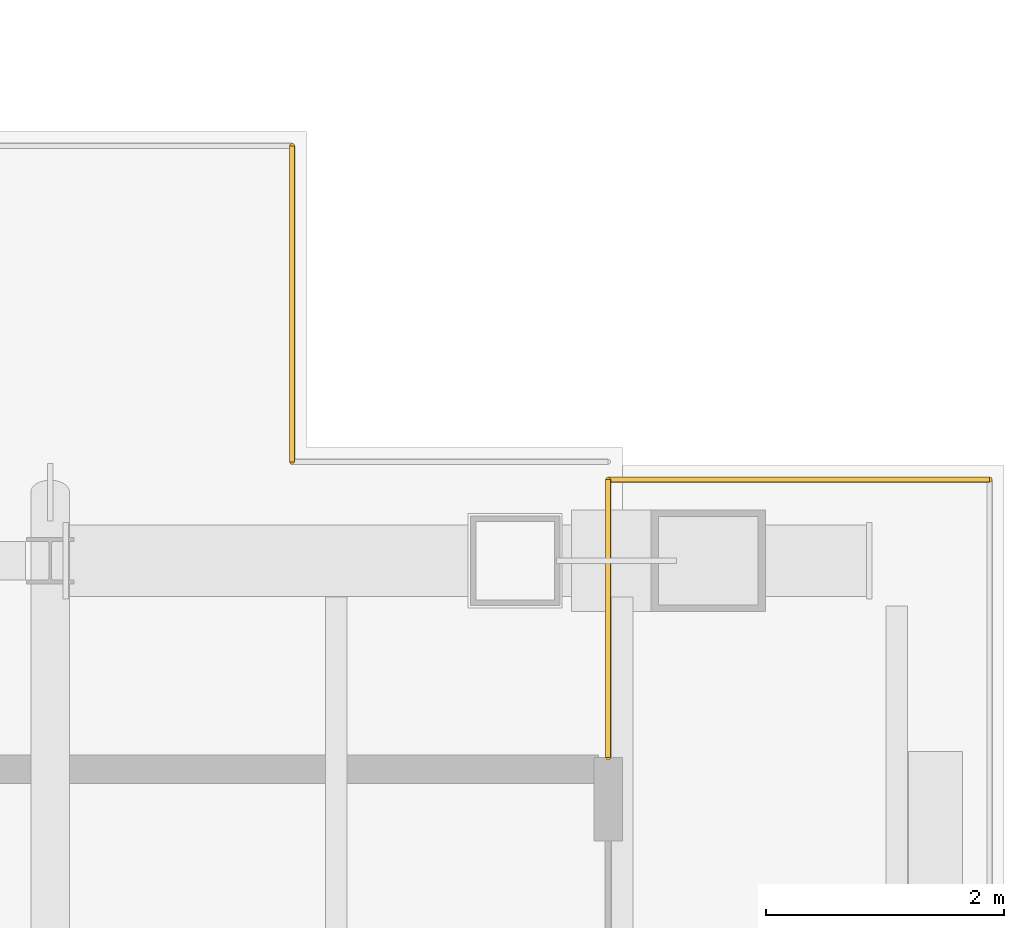
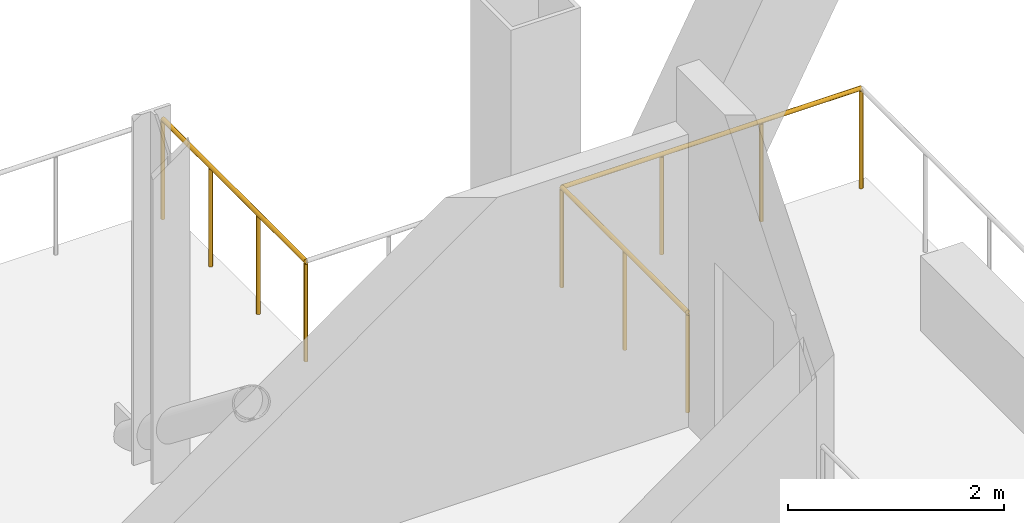
# One storey, part 6 of 6: 3 railings.
"""IFC4 building model written with IfcOpenShell, lengths in metres."""

from ifc_helpers import new_model, si_unit, direction, frame, origin, origin_2d, place, context, subcontext, project, spatial, circle, extrude, material, type_object, element, save


model = new_model("IFC4")

# Units and contexts
model_context = context("Model", 3, precision=1e-05, world=origin(), true_north=direction((0.0, 1.0)))
body_context = subcontext(model_context, "Body", "Model", "MODEL_VIEW")
ifc_project = project(units=[si_unit("LENGTHUNIT", "METRE"), si_unit("AREAUNIT", "SQUARE_METRE"), si_unit("VOLUMEUNIT", "CUBIC_METRE"), si_unit("PLANEANGLEUNIT", "RADIAN"), si_unit("MASSUNIT", "GRAM", prefix="KILO")], contexts=[model_context])

# Site, building, storey
site_placement = place(None, origin())
site = spatial("IfcSite", under=ifc_project, at=site_placement, CompositionType="ELEMENT")
building_placement = place(site_placement, origin())
building = spatial("IfcBuilding", under=site, at=building_placement, Name="Cobrela Telecom Tower", CompositionType="ELEMENT")
storey_placement = place(building_placement, frame((0.0, 0.0, 232.75)))
storey = spatial("IfcBuildingStorey", under=building, at=storey_placement, Name="L60", CompositionType="ELEMENT", Elevation=232.75)

# Railings
ifc_material = material(Name="Anodized Bronze Aluminium 6063-T6", Category="aluminium")
railing_type = type_object("IfcRailingType", Name="RAIL-BAL-1150", PredefinedType="BALUSTRADE", material=ifc_material)
railing_1_placement = place(storey_placement, frame((38.030029296875, 25.080078125, 0.0)))
element("IfcRailing", 1, at=railing_1_placement, inside=storey, type_object=railing_type, Name="L60 Wind Turbine Slot Perimeter Balustrade 10", PredefinedType="BALUSTRADE", context=body_context, shape_type="SweptSolid", body=[
    extrude(circle(Radius=0.02392578125, at=origin_2d()), frame((0.0, 0.0, 1.1259765625), z_axis=(0.0, -1.0, 0.0), x_axis=(1.0, 0.0, 0.0)), (0.0, 0.0, 1.0), 2.650146484375),
    extrude(circle(Radius=0.02099609375, at=origin_2d()), origin(), (0.0, 0.0, 1.0), 1.101806640625),
    extrude(circle(Radius=0.02099609375, at=origin_2d()), frame((0.0, -0.88330078125, 0.0)), (0.0, 0.0, 1.0), 1.101806640625),
    extrude(circle(Radius=0.02099609375, at=origin_2d()), frame((0.0, -1.766845703125, 0.0)), (0.0, 0.0, 1.0), 1.101806640625),
    extrude(circle(Radius=0.02099609375, at=origin_2d()), frame((0.0, -2.650146484375, 0.0)), (0.0, 0.0, 1.0), 1.101806640625),
])
railing_2_placement = place(storey_placement, frame((40.679931640625, 22.280029296875, 0.0)))
element("IfcRailing", 2, at=railing_2_placement, inside=storey, type_object=railing_type, Name="L60 Wind Turbine Slot Perimeter Balustrade 12", PredefinedType="BALUSTRADE", context=body_context, shape_type="SweptSolid", body=[
    extrude(circle(Radius=0.02392578125, at=origin_2d()), frame((0.0, 0.0, 1.1259765625), z_axis=(0.0, -1.0, 0.0), x_axis=(1.0, 0.0, 0.0)), (0.0, 0.0, 1.0), 2.330078125),
    extrude(circle(Radius=0.02099609375, at=origin_2d()), origin(), (0.0, 0.0, 1.0), 1.101806640625),
    extrude(circle(Radius=0.02099609375, at=origin_2d()), frame((0.0, -1.1650390625, 0.0)), (0.0, 0.0, 1.0), 1.101806640625),
    extrude(circle(Radius=0.02099609375, at=origin_2d()), frame((0.0, -2.330078125, 0.0)), (0.0, 0.0, 1.0), 1.101806640625),
])
railing_3_placement = place(storey_placement, frame((43.8798828125, 22.280029296875, 0.0)))
element("IfcRailing", 3, at=railing_3_placement, inside=storey, type_object=railing_type, Name="L60 Outdoor Terrace Perimeter Balustrade Z4-N", PredefinedType="BALUSTRADE", context=body_context, shape_type="SweptSolid", body=[
    extrude(circle(Radius=0.02392578125, at=origin_2d()), frame((0.0, 0.0, 1.1259765625), z_axis=(-1.0, 0.0, 0.0), x_axis=(0.0, -1.0, 0.0)), (0.0, 0.0, 1.0), 3.199951171875),
    extrude(circle(Radius=0.02099609375, at=origin_2d()), origin(), (0.0, 0.0, 1.0), 1.101806640625),
    extrude(circle(Radius=0.02099609375, at=origin_2d()), frame((-1.066650390625, 0.0, 0.0)), (0.0, 0.0, 1.0), 1.101806640625),
    extrude(circle(Radius=0.02099609375, at=origin_2d()), frame((-2.13330078125, 0.0, 0.0)), (0.0, 0.0, 1.0), 1.101806640625),
    extrude(circle(Radius=0.02099609375, at=origin_2d()), frame((-3.199951171875, 0.0, 0.0)), (0.0, 0.0, 1.0), 1.101806640625),
])

save(model, "model.ifc")
